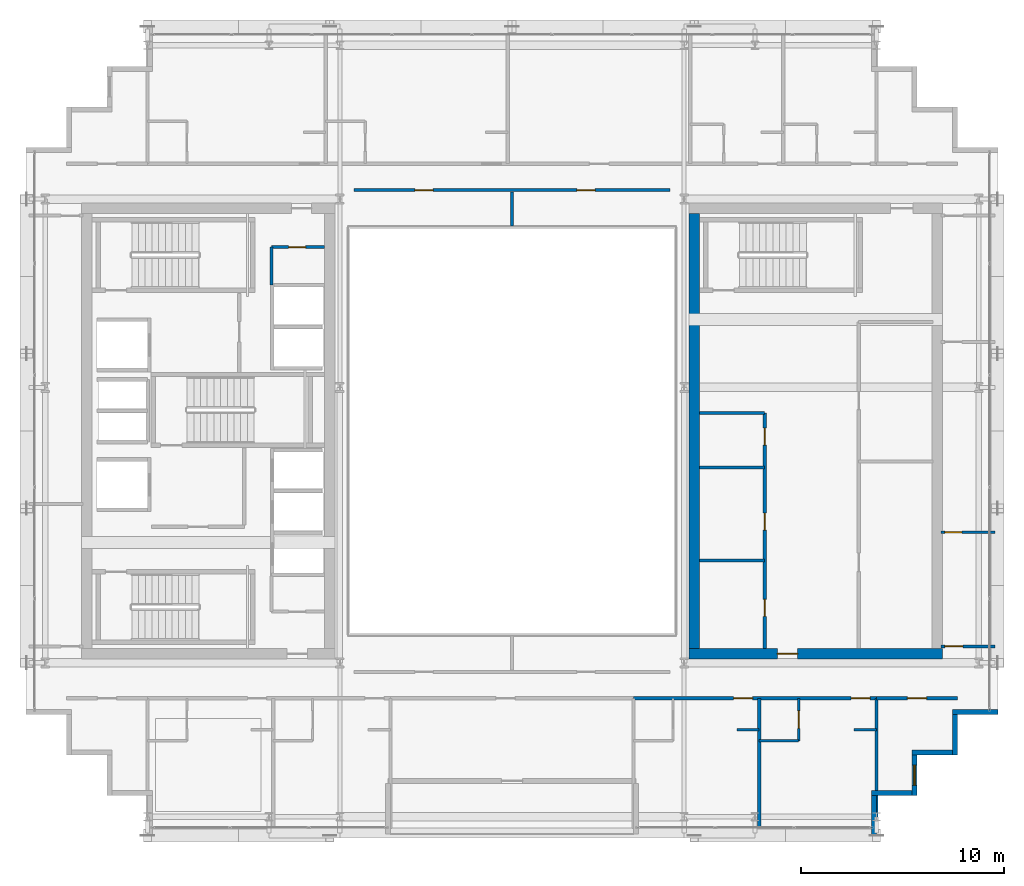
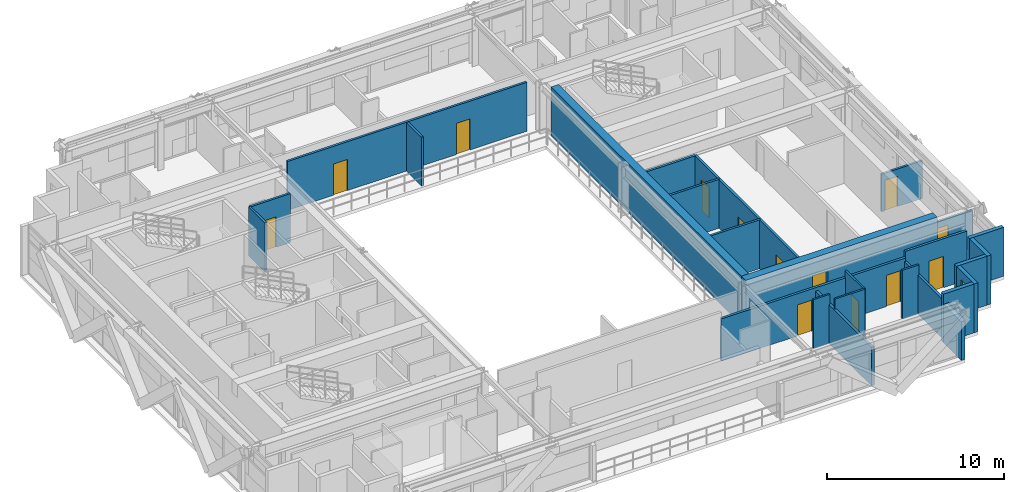
# One storey, part 26 of 32: 26 walls, 13 doors, 1 window, 14 openings.
"""IFC4 building model written with IfcOpenShell, lengths in metres."""

from ifc_helpers import new_model, si_unit, direction, frame, frame_2d, origin, place, context, subcontext, project, spatial, rectangle, extrude, source, transform, mapped, material, layer, layer_set, type_object, element, fill, save


model = new_model("IFC4")

# Units and contexts
model_context = context("Model", 3, precision=1e-05, world=origin(), true_north=direction((0.0, 1.0)))
body_context = subcontext(model_context, "Body", "Model", "MODEL_VIEW")
ifc_project = project(units=[si_unit("LENGTHUNIT", "METRE"), si_unit("AREAUNIT", "SQUARE_METRE"), si_unit("VOLUMEUNIT", "CUBIC_METRE"), si_unit("PLANEANGLEUNIT", "RADIAN"), si_unit("MASSUNIT", "GRAM", prefix="KILO")], contexts=[model_context])

# Site, building, storey
site_placement = place(None, origin())
site = spatial("IfcSite", under=ifc_project, at=site_placement, CompositionType="ELEMENT")
building_placement = place(site_placement, origin())
building = spatial("IfcBuilding", under=site, at=building_placement, Name="Ocotamira Hotel", CompositionType="ELEMENT")
storey_placement = place(building_placement, frame((0.0, 0.0, 177.60009765625)))
storey = spatial("IfcBuildingStorey", under=building, at=storey_placement, Name="L44", CompositionType="ELEMENT", Elevation=177.60009765625)

# Wall, opening, door
ifc_material_1 = material(Name="Concrete C50/60", Category="concrete")
ifc_layer_1 = layer(ifc_material_1, 0.5)
ifc_layer_set_1 = layer_set([ifc_layer_1], Name="Concrete C50/60")
wall_type_1 = type_object("IfcWallType", Name="WL-CORE-500", PredefinedType="SHEAR", material=ifc_layer_set_1)
wall_1_placement = place(storey_placement, frame((40.75, 15.0, 0.0), z_axis=(0.0, 0.0, 1.0), x_axis=(1.0, 0.0, 0.0)))
wall_1 = element("IfcWall", 1, at=wall_1_placement, inside=storey, type_object=wall_type_1, Name="L44 Shear Core Wall ECORE-S", PredefinedType="SHEAR", context=body_context, shape_type="SweptSolid", body=[
    extrude(rectangle(XDim=12.5, YDim=0.5, at=frame_2d((6.25, 0.0))), origin(), (0.0, 0.0, 1.0), 3.369873046875),
])
opening_1_placement = place(wall_1_placement, frame((4.35009765625, 0.0, 0.0)))
opening_1 = element("IfcOpeningElement", 2, at=opening_1_placement, cuts=wall_1, Name="Opening D-FR2", PredefinedType="OPENING", context=body_context, shape_type="SweptSolid", body=[
    extrude(rectangle(XDim=1.0, YDim=2.14990234375, at=frame_2d((0.5, 1.074951171875))), frame((0.0, 0.260009765625, 0.0), z_axis=(0.0, -1.0, 0.0), x_axis=(1.0, 0.0, 0.0)), (0.0, 0.0, 1.0), 0.52001953125),
])
ifc_material_2 = material(Name="Fire-rated acoustic timber-veneer door", Category="wood")
door_type_1 = type_object("IfcDoorType", Name="DR-FIRE-1000", OperationType="NOTDEFINED", PredefinedType="DOOR", material=ifc_material_2)
shared_shape_1 = source(origin(), body_context, "Body", "SweptSolid", [
    extrude(rectangle(XDim=1.0, YDim=2.14990234375, at=frame_2d((0.5, 1.074951171875))), frame((0.0, 0.02490234375, 0.0), z_axis=(0.0, -1.0, 0.0), x_axis=(1.0, 0.0, 0.0)), (0.0, 0.0, 1.0), 0.050048828125),
])
door_1_placement = place(opening_1_placement, origin())
door_1 = element("IfcDoor", 3, at=door_1_placement, inside=storey, type_object=door_type_1, Name="L44 Door ID-L44-ELOB-S-D [ID-L44-ELOB-S-D]", OperationType="SINGLE_SWING_RIGHT", OverallHeight=2.14990234375, OverallWidth=1.0, PredefinedType="DOOR", context=body_context, shape_type="MappedRepresentation", body=[
    mapped(shared_shape_1, transform((0.0, 0.0, 0.0), scale=1.0)),
])
fill(opening_1, door_1)

# Walls
wall_2_placement = place(storey_placement, frame((41.0, 15.25, 0.0), z_axis=(0.0, 0.0, 1.0), x_axis=(0.0, 1.0, 0.0)))
element("IfcWall", 4, at=wall_2_placement, inside=storey, type_object=wall_type_1, Name="L44 Shear Core Wall ECORE-W", PredefinedType="SHEAR", context=body_context, shape_type="SweptSolid", body=[
    extrude(rectangle(XDim=21.5, YDim=0.5, at=frame_2d((10.75, 0.0))), origin(), (0.0, 0.0, 1.0), 3.369873046875),
])
ifc_material_3 = material(Name="Precast concrete C45/55", Category="concrete")
ifc_layer_2 = layer(ifc_material_3, 0.25)
ifc_layer_set_2 = layer_set([ifc_layer_2], Name="Precast concrete C45/55")
wall_type_2 = type_object("IfcWallType", Name="WL-EXT-SER-250", PredefinedType="SOLIDWALL", material=ifc_layer_set_2)
wall_3_placement = place(storey_placement, frame((49.875, 6.0, 0.0), z_axis=(0.0, 0.0, 1.0), x_axis=(0.0, 1.0, 0.0)))
element("IfcWall", 5, at=wall_3_placement, inside=storey, type_object=wall_type_2, Name="L44 Serrated Corner Wall 01", PredefinedType="SOLIDWALL", context=body_context, shape_type="SweptSolid", body=[
    extrude(rectangle(XDim=2.0, YDim=0.25, at=frame_2d((1.0, 0.0))), origin(), (0.0, 0.0, 1.0), 2.677001953125),
])
wall_4_placement = place(storey_placement, frame((49.75, 8.125, 0.0), z_axis=(0.0, 0.0, 1.0), x_axis=(1.0, 0.0, 0.0)))
element("IfcWall", 6, at=wall_4_placement, inside=storey, type_object=wall_type_2, Name="L44 Serrated Corner Wall 02", PredefinedType="SOLIDWALL", context=body_context, shape_type="SweptSolid", body=[
    extrude(rectangle(XDim=2.0, YDim=0.25, at=frame_2d((1.0, 0.0))), origin(), (0.0, 0.0, 1.0), 3.369873046875),
])

# Wall, opening, window
wall_5_placement = place(storey_placement, frame((51.875, 8.0, 0.0), z_axis=(0.0, 0.0, 1.0), x_axis=(0.0, 1.0, 0.0)))
wall_5 = element("IfcWall", 7, at=wall_5_placement, inside=storey, type_object=wall_type_2, Name="L44 Serrated Corner Wall 03", PredefinedType="SOLIDWALL", context=body_context, shape_type="SweptSolid", body=[
    extrude(rectangle(XDim=2.0, YDim=0.25, at=frame_2d((1.0, 0.0))), origin(), (0.0, 0.0, 1.0), 3.369873046875),
])
opening_2_placement = place(wall_5_placement, frame((0.5, 0.0, 0.85009765625)))
opening_2 = element("IfcOpeningElement", 8, at=opening_2_placement, cuts=wall_5, Name="Opening WN-2", PredefinedType="OPENING", context=body_context, shape_type="SweptSolid", body=[
    extrude(rectangle(XDim=1.0, YDim=1.89990234375, at=frame_2d((0.5, 0.949951171875))), frame((0.0, 0.135009765625, 0.0), z_axis=(0.0, -1.0, 0.0), x_axis=(1.0, 0.0, 0.0)), (0.0, 0.0, 1.0), 0.27001953125),
])
ifc_material_4 = material(Name="Double-silver low-E solar glass", Category="glass")
window_type = type_object("IfcWindowType", Name="WIN-SER-1100", PartitioningType="SINGLE_PANEL", PredefinedType="WINDOW", material=ifc_material_4)
shared_shape_2 = source(origin(), body_context, "Body", "SweptSolid", [
    extrude(rectangle(XDim=1.0, YDim=1.89990234375, at=frame_2d((0.5, 0.949951171875))), frame((0.0, 0.030029296875, 0.0), z_axis=(0.0, -1.0, 0.0), x_axis=(1.0, 0.0, 0.0)), (0.0, 0.0, 1.0), 0.06005859375),
])
window_placement = place(opening_2_placement, origin())
window = element("IfcWindow", 9, at=window_placement, inside=storey, type_object=window_type, Name="L44 Serrated Corner Window 03", OverallHeight=1.89990234375, OverallWidth=1.0, PartitioningType="SINGLE_PANEL", PredefinedType="WINDOW", context=body_context, shape_type="MappedRepresentation", body=[
    mapped(shared_shape_2, transform((0.0, 0.0, 0.0), scale=1.0)),
])
fill(opening_2, window)

# Walls
for number, where, z_axis, x_axis, name in (
    (10, (51.75, 10.125, 0.0), (0.0, 0.0, 1.0), (1.0, 0.0, 0.0), "L44 Serrated Corner Wall 04"),
    (11, (53.875, 10.0, 0.0), (0.0, 0.0, 1.0), (0.0, 1.0, 0.0), "L44 Serrated Corner Wall 05"),
):
    element("IfcWall", number, at=place(storey_placement, frame(where, z_axis=z_axis, x_axis=x_axis)), inside=storey, type_object=wall_type_2, Name=name, PredefinedType="SOLIDWALL", context=body_context, shape_type="SweptSolid", body=[
        extrude(rectangle(XDim=2.0, YDim=0.25, at=frame_2d((1.0, 0.0))), origin(), (0.0, 0.0, 1.0), 3.369873046875),
    ])
wall_6_placement = place(storey_placement, frame((53.75, 12.125, 0.0), z_axis=(0.0, 0.0, 1.0), x_axis=(1.0, 0.0, 0.0)))
element("IfcWall", 12, at=wall_6_placement, inside=storey, type_object=wall_type_2, Name="L44 Serrated Corner Wall 06", PredefinedType="SOLIDWALL", context=body_context, shape_type="SweptSolid", body=[
    extrude(rectangle(XDim=2.25, YDim=0.25, at=frame_2d((1.125, 0.0))), origin(), (0.0, 0.0, 1.0), 3.369873046875),
])

# Wall, opening, door
ifc_material_5 = material(Name="Acoustic double-layer fire gypsum board partition", Category="gypsum")
ifc_layer_3 = layer(ifc_material_5, 0.159912109375)
ifc_layer_set_3 = layer_set([ifc_layer_3], Name="Acoustic double-layer fire gypsum board partition")
wall_type_3 = type_object("IfcWallType", Name="WL-FIRE-160", PredefinedType="PARTITIONING", material=ifc_layer_set_3)
wall_7_placement = place(storey_placement, frame((50.0, 12.800048828125, 0.0), z_axis=(0.0, 0.0, 1.0), x_axis=(1.0, 0.0, 0.0)))
wall_7 = element("IfcWall", 13, at=wall_7_placement, inside=storey, type_object=wall_type_3, Name="L44 Interior Wall PW-L44-Z3B-CSE-CW", PredefinedType="PARTITIONING", context=body_context, shape_type="SweptSolid", body=[
    extrude(rectangle(XDim=4.0, YDim=0.159912109375, at=frame_2d((2.0, 0.0))), origin(), (0.0, 0.0, 1.0), 3.369873046875),
])
opening_3_placement = place(wall_7_placement, frame((1.52001953125, 0.0, 0.0)))
opening_3 = element("IfcOpeningElement", 14, at=opening_3_placement, cuts=wall_7, Name="Opening D-SV4", PredefinedType="OPENING", context=body_context, shape_type="SweptSolid", body=[
    extrude(rectangle(XDim=0.9599609375, YDim=2.14990234375, at=frame_2d((0.47998046875, 1.074951171875))), frame((0.0, 0.08984375, 0.0), z_axis=(0.0, -1.0, 0.0), x_axis=(1.0, 0.0, 0.0)), (0.0, 0.0, 1.0), 0.179931640625),
])
ifc_material_6 = material(Name="Fire-rated accessible walnut salon door", Category="wood")
door_type_2 = type_object("IfcDoorType", Name="DR-SERV-960", OperationType="NOTDEFINED", PredefinedType="DOOR", material=ifc_material_6)
shared_shape_3 = source(origin(), body_context, "Body", "SweptSolid", [
    extrude(rectangle(XDim=0.9599609375, YDim=2.14990234375, at=frame_2d((0.47998046875, 1.074951171875))), frame((0.0, 0.02490234375, 0.0), z_axis=(0.0, -1.0, 0.0), x_axis=(1.0, 0.0, 0.0)), (0.0, 0.0, 1.0), 0.050048828125),
])
door_2_placement = place(opening_3_placement, origin())
door_2 = element("IfcDoor", 15, at=door_2_placement, inside=storey, type_object=door_type_2, Name="L44 Door ID-L44-Z3B-CSE-CD [ID-L44-Z3B-CSE-CD]", OperationType="SINGLE_SWING_LEFT", OverallHeight=2.14990234375, OverallWidth=0.9599609375, PredefinedType="DOOR", context=body_context, shape_type="MappedRepresentation", body=[
    mapped(shared_shape_3, transform((0.0, 0.0, 0.0), scale=1.0)),
])
fill(opening_3, door_2)

# Wall, openings, doors
wall_8_placement = place(storey_placement, frame((38.0, 12.800048828125, 0.0), z_axis=(0.0, 0.0, 1.0), x_axis=(1.0, 0.0, 0.0)))
wall_8 = element("IfcWall", 16, at=wall_8_placement, inside=storey, type_object=wall_type_3, Name="L44 Interior Wall PW-L44-Z3BSE-CORRW", PredefinedType="PARTITIONING", context=body_context, shape_type="SweptSolid", body=[
    extrude(rectangle(XDim=12.0, YDim=0.159912109375, at=frame_2d((6.0, 0.0))), origin(), (0.0, 0.0, 1.0), 2.912841796875),
])
opening_4_placement = place(wall_8_placement, frame((4.93994140625, 0.0, 0.0)))
opening_4 = element("IfcOpeningElement", 17, at=opening_4_placement, cuts=wall_8, Name="Opening D-GR1", PredefinedType="OPENING", context=body_context, shape_type="SweptSolid", body=[
    extrude(rectangle(XDim=0.93994140625, YDim=2.14990234375, at=frame_2d((0.469970703125, 1.074951171875))), frame((0.0, 0.08984375, 0.0), z_axis=(0.0, -1.0, 0.0), x_axis=(1.0, 0.0, 0.0)), (0.0, 0.0, 1.0), 0.179931640625),
])
opening_5_placement = place(wall_8_placement, frame((10.739990234375, 0.0, 0.0)))
opening_5 = element("IfcOpeningElement", 18, at=opening_5_placement, cuts=wall_8, Name="Opening D-GR1", PredefinedType="OPENING", context=body_context, shape_type="SweptSolid", body=[
    extrude(rectangle(XDim=0.93994140625, YDim=2.14990234375, at=frame_2d((0.469970703125, 1.074951171875))), frame((0.0, 0.08984375, 0.0), z_axis=(0.0, -1.0, 0.0), x_axis=(1.0, 0.0, 0.0)), (0.0, 0.0, 1.0), 0.179931640625),
])
ifc_material_7 = material(Name="Solid-core walnut suite entrance fire door", Category="wood")
door_type_3 = type_object("IfcDoorType", Name="DR-GUEST-940", OperationType="NOTDEFINED", PredefinedType="DOOR", material=ifc_material_7)
shared_shape_4 = source(origin(), body_context, "Body", "SweptSolid", [
    extrude(rectangle(XDim=0.93994140625, YDim=2.14990234375, at=frame_2d((0.469970703125, 1.074951171875))), frame((0.0, 0.02490234375, 0.0), z_axis=(0.0, -1.0, 0.0), x_axis=(1.0, 0.0, 0.0)), (0.0, 0.0, 1.0), 0.050048828125),
])
door_3_placement = place(opening_4_placement, origin())
door_3 = element("IfcDoor", 19, at=door_3_placement, inside=storey, type_object=door_type_3, Name="L44 Door ID-L44-Z3BSE-RMD1 [ID-L44-Z3BSE-RMD1]", OperationType="SINGLE_SWING_LEFT", OverallHeight=2.14990234375, OverallWidth=0.93994140625, PredefinedType="DOOR", context=body_context, shape_type="MappedRepresentation", body=[
    mapped(shared_shape_4, transform((0.0, 0.0, 0.0), scale=1.0)),
])
fill(opening_4, door_3)
door_4_placement = place(opening_5_placement, origin())
door_4 = element("IfcDoor", 20, at=door_4_placement, inside=storey, type_object=door_type_3, Name="L44 Door ID-L44-Z3BSE-RMD2 [ID-L44-Z3BSE-RMD2]", OperationType="SINGLE_SWING_RIGHT", OverallHeight=2.14990234375, OverallWidth=0.93994140625, PredefinedType="DOOR", context=body_context, shape_type="MappedRepresentation", body=[
    mapped(shared_shape_4, transform((0.0, 0.0, 0.0), scale=1.0)),
])
fill(opening_5, door_4)

# Wall
ifc_material_8 = material(Name="Moisture-resistant en-suite tile and gypsum partition", Category="gypsum")
ifc_layer_4 = layer(ifc_material_8, 0.1201171875)
ifc_layer_set_4 = layer_set([ifc_layer_4], Name="Moisture-resistant en-suite tile and gypsum partition")
wall_type_4 = type_object("IfcWallType", Name="WL-PART-120", PredefinedType="PARTITIONING", material=ifc_layer_set_4)
wall_9_placement = place(storey_placement, frame((43.10009765625, 11.25, 0.0), z_axis=(0.0, 0.0, 1.0), x_axis=(1.0, 0.0, 0.0)))
element("IfcWall", 21, at=wall_9_placement, inside=storey, type_object=wall_type_4, Name="L44 Interior Wall PW-L44-Z3BSE-DRN1", PredefinedType="PARTITIONING", context=body_context, shape_type="SweptSolid", body=[
    extrude(rectangle(XDim=1.099853515625, YDim=0.1201171875, at=frame_2d((0.5498046875, 0.0))), origin(), (0.0, 0.0, 1.0), 3.369873046875),
])

# Wall, opening, door
wall_10_placement = place(storey_placement, frame((46.14990234375, 10.699951171875, 0.0), z_axis=(0.0, 0.0, 1.0), x_axis=(0.0, 1.0, 0.0)))
wall_10 = element("IfcWall", 22, at=wall_10_placement, inside=storey, type_object=wall_type_4, Name="L44 Interior Wall PW-L44-Z3BSE-BAE2", PredefinedType="PARTITIONING", context=body_context, shape_type="SweptSolid", body=[
    extrude(rectangle(XDim=2.10009765625, YDim=0.1201171875, at=frame_2d((1.050048828125, 0.0))), origin(), (0.0, 0.0, 1.0), 3.369873046875),
])
opening_6_placement = place(wall_10_placement, frame((0.6201171875, 0.0, 0.0)))
opening_6 = element("IfcOpeningElement", 23, at=opening_6_placement, cuts=wall_10, Name="Opening D-BA1", PredefinedType="OPENING", context=body_context, shape_type="SweptSolid", body=[
    extrude(rectangle(XDim=0.860107421875, YDim=2.10009765625, at=frame_2d((0.43017578125, 1.050048828125))), frame((0.0, 0.070068359375, 0.0), z_axis=(0.0, -1.0, 0.0), x_axis=(1.0, 0.0, 0.0)), (0.0, 0.0, 1.0), 0.14013671875),
])
ifc_material_9 = material(Name="Moisture-sealed en-suite timber door", Category="wood")
door_type_4 = type_object("IfcDoorType", Name="DR-BATH-860", OperationType="NOTDEFINED", PredefinedType="DOOR", material=ifc_material_9)
shared_shape_5 = source(origin(), body_context, "Body", "SweptSolid", [
    extrude(rectangle(XDim=0.860107421875, YDim=2.10009765625, at=frame_2d((0.43017578125, 1.050048828125))), frame((0.0, 0.02490234375, 0.0), z_axis=(0.0, -1.0, 0.0), x_axis=(1.0, 0.0, 0.0)), (0.0, 0.0, 1.0), 0.050048828125),
])
door_5_placement = place(opening_6_placement, origin())
door_5 = element("IfcDoor", 24, at=door_5_placement, inside=storey, type_object=door_type_4, Name="L44 Door ID-L44-Z3BSE-BAD2 [ID-L44-Z3BSE-BAD2]", OperationType="SINGLE_SWING_LEFT", OverallHeight=2.10009765625, OverallWidth=0.860107421875, PredefinedType="DOOR", context=body_context, shape_type="MappedRepresentation", body=[
    mapped(shared_shape_5, transform((0.0, 0.0, 0.0), scale=1.0)),
])
fill(opening_6, door_5)

# Walls
wall_11_placement = place(storey_placement, frame((44.199951171875, 10.699951171875, 0.0), z_axis=(0.0, 0.0, 1.0), x_axis=(1.0, 0.0, 0.0)))
element("IfcWall", 25, at=wall_11_placement, inside=storey, type_object=wall_type_4, Name="L44 Interior Wall PW-L44-Z3BSE-BAS2", PredefinedType="PARTITIONING", context=body_context, shape_type="SweptSolid", body=[
    extrude(rectangle(XDim=1.949951171875, YDim=0.1201171875, at=frame_2d((0.97509765625, 0.0))), origin(), (0.0, 0.0, 1.0), 3.369873046875),
])
wall_12_placement = place(storey_placement, frame((48.89990234375, 11.25, 0.0), z_axis=(0.0, 0.0, 1.0), x_axis=(1.0, 0.0, 0.0)))
element("IfcWall", 26, at=wall_12_placement, inside=storey, type_object=wall_type_4, Name="L44 Interior Wall PW-L44-Z3BSE-DRN2", PredefinedType="PARTITIONING", context=body_context, shape_type="SweptSolid", body=[
    extrude(rectangle(XDim=1.10009765625, YDim=0.1201171875, at=frame_2d((0.550048828125, 0.0))), origin(), (0.0, 0.0, 1.0), 3.369873046875),
])
ifc_material_10 = material(Name="Acoustic hospitality gypsum board partition", Category="gypsum")
ifc_layer_5 = layer(ifc_material_10, 0.14208984375)
ifc_layer_set_5 = layer_set([ifc_layer_5], Name="Acoustic hospitality gypsum board partition")
wall_type_5 = type_object("IfcWallType", Name="WL-PART-142", PredefinedType="PARTITIONING", material=ifc_layer_set_5)
wall_13_placement = place(storey_placement, frame((20.1201171875, 33.219970703125, 0.0), z_axis=(0.0, 0.0, 1.0), x_axis=(0.0, 1.0, 0.0)))
element("IfcWall", 27, at=wall_13_placement, inside=storey, type_object=wall_type_5, Name="L44 Interior Wall PW-L44-WC-NE-W2", PredefinedType="PARTITIONING", context=body_context, shape_type="SweptSolid", body=[
    extrude(rectangle(XDim=1.860107421875, YDim=0.14208984375, at=frame_2d((0.93017578125, 0.0))), origin(), (0.0, 0.0, 1.0), 3.369873046875),
])

# Wall, opening, door
wall_14_placement = place(storey_placement, frame((20.1201171875, 35.080078125, 0.0), z_axis=(0.0, 0.0, 1.0), x_axis=(1.0, 0.0, 0.0)))
wall_14 = element("IfcWall", 28, at=wall_14_placement, inside=storey, type_object=wall_type_5, Name="L44 Interior Wall PW-L44-WC-NE-N2", PredefinedType="PARTITIONING", context=body_context, shape_type="SweptSolid", body=[
    extrude(rectangle(XDim=2.6298828125, YDim=0.14208984375, at=frame_2d((1.31494140625, 0.0))), origin(), (0.0, 0.0, 1.0), 3.369873046875),
])
opening_7_placement = place(wall_14_placement, frame((0.85009765625, 0.0, 0.0)))
opening_7 = element("IfcOpeningElement", 29, at=opening_7_placement, cuts=wall_14, Name="Opening D-SV1", PredefinedType="OPENING", context=body_context, shape_type="SweptSolid", body=[
    extrude(rectangle(XDim=0.840087890625, YDim=2.10009765625, at=frame_2d((0.419921875, 1.050048828125))), frame((0.0, 0.0810546875, 0.0), z_axis=(0.0, -1.0, 0.0), x_axis=(1.0, 0.0, 0.0)), (0.0, 0.0, 1.0), 0.162109375),
])
ifc_material_11 = material(Name="Fire-rated painted steel service door", Category="steel")
door_type_5 = type_object("IfcDoorType", Name="DR-SERV-840", OperationType="NOTDEFINED", PredefinedType="DOOR", material=ifc_material_11)
shared_shape_6 = source(origin(), body_context, "Body", "SweptSolid", [
    extrude(rectangle(XDim=0.840087890625, YDim=2.10009765625, at=frame_2d((0.419921875, 1.050048828125))), frame((0.0, 0.02490234375, 0.0), z_axis=(0.0, -1.0, 0.0), x_axis=(1.0, 0.0, 0.0)), (0.0, 0.0, 1.0), 0.050048828125),
])
door_6_placement = place(opening_7_placement, origin())
door_6 = element("IfcDoor", 30, at=door_6_placement, inside=storey, type_object=door_type_5, Name="L44 Door ID-L44-WC-NE-D2 [ID-L44-WC-NE-D2]", OperationType="SINGLE_SWING_RIGHT", OverallHeight=2.10009765625, OverallWidth=0.840087890625, PredefinedType="DOOR", context=body_context, shape_type="MappedRepresentation", body=[
    mapped(shared_shape_6, transform((0.0, 0.0, 0.0), scale=1.0)),
])
fill(opening_7, door_6)

# Walls
for number, where, z_axis, x_axis, name in (
    (31, (41.25, 19.60009765625, 0.0), (0.0, 0.0, 1.0), (1.0, 0.0, 0.0), "L44 Interior Wall PW-L44-EC-FMD1"),
    (32, (41.25, 24.199951171875, 0.0), (0.0, 0.0, 1.0), (1.0, 0.0, 0.0), "L44 Interior Wall PW-L44-EC-FMD2"),
):
    element("IfcWall", number, at=place(storey_placement, frame(where, z_axis=z_axis, x_axis=x_axis)), inside=storey, type_object=wall_type_5, Name=name, PredefinedType="PARTITIONING", context=body_context, shape_type="SweptSolid", body=[
        extrude(rectangle(XDim=3.22998046875, YDim=0.14208984375, at=frame_2d((1.614990234375, 0.0))), origin(), (0.0, 0.0, 1.0), 3.369873046875),
    ])
wall_15_placement = place(storey_placement, frame((32.0, 36.1201171875, 0.0), z_axis=(0.0, 0.0, 1.0), x_axis=(0.0, 1.0, 0.0)))
element("IfcWall", 33, at=wall_15_placement, inside=storey, type_object=wall_type_5, Name="L44 Interior Wall PW-L44-Z3B-AND1", PredefinedType="PARTITIONING", context=body_context, shape_type="SweptSolid", body=[
    extrude(rectangle(XDim=1.679931640625, YDim=0.14208984375, at=frame_2d((0.83984375, 0.0))), origin(), (0.0, 0.0, 1.0), 3.369873046875),
])

# Wall, opening, door
wall_16_placement = place(storey_placement, frame((53.179931640625, 21.0, 0.0), z_axis=(0.0, 0.0, 1.0), x_axis=(1.0, 0.0, 0.0)))
wall_16 = element("IfcWall", 34, at=wall_16_placement, inside=storey, type_object=wall_type_5, Name="L44 Interior Wall PW-L44-Z3B-EF-DV1", PredefinedType="PARTITIONING", context=body_context, shape_type="SweptSolid", body=[
    extrude(rectangle(XDim=2.66015625, YDim=0.14208984375, at=frame_2d((1.330078125, 0.0))), origin(), (0.0, 0.0, 1.0), 2.5908203125),
])
opening_8_placement = place(wall_16_placement, frame((0.199951171875, 0.0, 0.0)))
opening_8 = element("IfcOpeningElement", 35, at=opening_8_placement, cuts=wall_16, Name="Opening D-SV1", PredefinedType="OPENING", context=body_context, shape_type="SweptSolid", body=[
    extrude(rectangle(XDim=0.840087890625, YDim=2.10009765625, at=frame_2d((0.419921875, 1.050048828125))), frame((0.0, 0.0810546875, 0.0), z_axis=(0.0, -1.0, 0.0), x_axis=(1.0, 0.0, 0.0)), (0.0, 0.0, 1.0), 0.162109375),
])
door_7_placement = place(opening_8_placement, origin())
door_7 = element("IfcDoor", 36, at=door_7_placement, inside=storey, type_object=door_type_5, Name="L44 Door ID-L44-Z3B-EF-DV1D [ID-L44-Z3B-EF-DV1D]", OperationType="SINGLE_SWING_LEFT", OverallHeight=2.10009765625, OverallWidth=0.840087890625, PredefinedType="DOOR", context=body_context, shape_type="MappedRepresentation", body=[
    mapped(shared_shape_6, transform((0.0, 0.0, 0.0), scale=1.0)),
])
fill(opening_8, door_7)

# Wall
ifc_layer_6 = layer(ifc_material_10, 0.14990234375)
ifc_layer_set_6 = layer_set([ifc_layer_6], Name="Acoustic hospitality gypsum board partition")
wall_type_6 = type_object("IfcWallType", Name="WL-PART-150", PredefinedType="PARTITIONING", material=ifc_layer_set_6)
wall_17_placement = place(storey_placement, frame((41.25, 26.8798828125, 0.0), z_axis=(0.0, 0.0, 1.0), x_axis=(1.0, 0.0, 0.0)))
element("IfcWall", 37, at=wall_17_placement, inside=storey, type_object=wall_type_6, Name="L44 Interior Wall PW-L44-EC-FMID-N", PredefinedType="PARTITIONING", context=body_context, shape_type="SweptSolid", body=[
    extrude(rectangle(XDim=3.22998046875, YDim=0.14990234375, at=frame_2d((1.614990234375, 0.0))), origin(), (0.0, 0.0, 1.0), 3.369873046875),
])

# Wall, openings, doors
wall_18_placement = place(storey_placement, frame((44.47998046875, 15.25, 0.0), z_axis=(0.0, 0.0, 1.0), x_axis=(0.0, 1.0, 0.0)))
wall_18 = element("IfcWall", 38, at=wall_18_placement, inside=storey, type_object=wall_type_6, Name="L44 Interior Wall PW-L44-EC-FMID-E", PredefinedType="PARTITIONING", context=body_context, shape_type="SweptSolid", body=[
    extrude(rectangle(XDim=11.6298828125, YDim=0.14990234375, at=frame_2d((5.81494140625, 0.0))), origin(), (0.0, 0.0, 1.0), 3.369873046875),
])
opening_9_placement = place(wall_18_placement, frame((1.60009765625, 0.0, 0.0)))
opening_9 = element("IfcOpeningElement", 39, at=opening_9_placement, cuts=wall_18, Name="Opening D-SV1", PredefinedType="OPENING", context=body_context, shape_type="SweptSolid", body=[
    extrude(rectangle(XDim=0.840087890625, YDim=2.10009765625, at=frame_2d((0.419921875, 1.050048828125))), frame((0.0, 0.0849609375, 0.0), z_axis=(0.0, -1.0, 0.0), x_axis=(1.0, 0.0, 0.0)), (0.0, 0.0, 1.0), 0.169921875),
])
opening_10_placement = place(wall_18_placement, frame((5.85009765625, 0.0, 0.0)))
opening_10 = element("IfcOpeningElement", 40, at=opening_10_placement, cuts=wall_18, Name="Opening D-SV1", PredefinedType="OPENING", context=body_context, shape_type="SweptSolid", body=[
    extrude(rectangle(XDim=0.840087890625, YDim=2.10009765625, at=frame_2d((0.419921875, 1.050048828125))), frame((0.0, 0.0849609375, 0.0), z_axis=(0.0, -1.0, 0.0), x_axis=(1.0, 0.0, 0.0)), (0.0, 0.0, 1.0), 0.169921875),
])
opening_11_placement = place(wall_18_placement, frame((10.050048828125, 0.0, 0.0)))
opening_11 = element("IfcOpeningElement", 41, at=opening_11_placement, cuts=wall_18, Name="Opening D-SV1", PredefinedType="OPENING", context=body_context, shape_type="SweptSolid", body=[
    extrude(rectangle(XDim=0.840087890625, YDim=2.10009765625, at=frame_2d((0.419921875, 1.050048828125))), frame((0.0, 0.0849609375, 0.0), z_axis=(0.0, -1.0, 0.0), x_axis=(1.0, 0.0, 0.0)), (0.0, 0.0, 1.0), 0.169921875),
])
door_8_placement = place(opening_9_placement, origin())
door_8 = element("IfcDoor", 42, at=door_8_placement, inside=storey, type_object=door_type_5, Name="L44 Door ID-L44-EC-FMD-1 [ID-L44-EC-FMD-1]", OperationType="SINGLE_SWING_LEFT", OverallHeight=2.10009765625, OverallWidth=0.840087890625, PredefinedType="DOOR", context=body_context, shape_type="MappedRepresentation", body=[
    mapped(shared_shape_6, transform((0.0, 0.0, 0.0), scale=1.0)),
])
fill(opening_9, door_8)
door_9_placement = place(opening_10_placement, origin())
door_9 = element("IfcDoor", 43, at=door_9_placement, inside=storey, type_object=door_type_5, Name="L44 Door ID-L44-EC-FMD-2 [ID-L44-EC-FMD-2]", OperationType="SINGLE_SWING_RIGHT", OverallHeight=2.10009765625, OverallWidth=0.840087890625, PredefinedType="DOOR", context=body_context, shape_type="MappedRepresentation", body=[
    mapped(shared_shape_6, transform((0.0, 0.0, 0.0), scale=1.0)),
])
fill(opening_10, door_9)
door_10_placement = place(opening_11_placement, origin())
door_10 = element("IfcDoor", 44, at=door_10_placement, inside=storey, type_object=door_type_5, Name="L44 Door ID-L44-EC-FMD-3 [ID-L44-EC-FMD-3]", OperationType="SINGLE_SWING_LEFT", OverallHeight=2.10009765625, OverallWidth=0.840087890625, PredefinedType="DOOR", context=body_context, shape_type="MappedRepresentation", body=[
    mapped(shared_shape_6, transform((0.0, 0.0, 0.0), scale=1.0)),
])
fill(opening_11, door_10)

wall_19_placement = place(storey_placement, frame((24.199951171875, 37.89990234375, 0.0), z_axis=(0.0, 0.0, 1.0), x_axis=(1.0, 0.0, 0.0)))
wall_19 = element("IfcWall", 45, at=wall_19_placement, inside=storey, type_object=wall_type_6, Name="L44 Interior Wall PW-L44-Z3B-ATRNW", PredefinedType="PARTITIONING", context=body_context, shape_type="SweptSolid", body=[
    extrude(rectangle(XDim=15.60009765625, YDim=0.14990234375, at=frame_2d((7.800048828125, 0.0))), origin(), (0.0, 0.0, 1.0), 3.369873046875),
])
opening_12_placement = place(wall_19_placement, frame((3.0, 0.0, 0.0)))
opening_12 = element("IfcOpeningElement", 46, at=opening_12_placement, cuts=wall_19, Name="Opening D-IN3", PredefinedType="OPENING", context=body_context, shape_type="SweptSolid", body=[
    extrude(rectangle(XDim=0.89990234375, YDim=2.14990234375, at=frame_2d((0.449951171875, 1.074951171875))), frame((0.0, 0.0849609375, 0.0), z_axis=(0.0, -1.0, 0.0), x_axis=(1.0, 0.0, 0.0)), (0.0, 0.0, 1.0), 0.169921875),
])
opening_13_placement = place(wall_19_placement, frame((11.0, 0.0, 0.0)))
opening_13 = element("IfcOpeningElement", 47, at=opening_13_placement, cuts=wall_19, Name="Opening D-IN3", PredefinedType="OPENING", context=body_context, shape_type="SweptSolid", body=[
    extrude(rectangle(XDim=0.89990234375, YDim=2.14990234375, at=frame_2d((0.449951171875, 1.074951171875))), frame((0.0, 0.0849609375, 0.0), z_axis=(0.0, -1.0, 0.0), x_axis=(1.0, 0.0, 0.0)), (0.0, 0.0, 1.0), 0.169921875),
])
ifc_material_12 = material(Name="Painted service room door", Category="steel")
door_type_6 = type_object("IfcDoorType", Name="DR-INT-900", OperationType="NOTDEFINED", PredefinedType="DOOR", material=ifc_material_12)
shared_shape_7 = source(origin(), body_context, "Body", "SweptSolid", [
    extrude(rectangle(XDim=0.89990234375, YDim=2.14990234375, at=frame_2d((0.449951171875, 1.074951171875))), frame((0.0, 0.02490234375, 0.0), z_axis=(0.0, -1.0, 0.0), x_axis=(1.0, 0.0, 0.0)), (0.0, 0.0, 1.0), 0.050048828125),
])
door_11_placement = place(opening_12_placement, origin())
door_11 = element("IfcDoor", 48, at=door_11_placement, inside=storey, type_object=door_type_6, Name="L44 Door ID-L44-Z3B-AND1D [ID-L44-Z3B-AND1D]", OperationType="SINGLE_SWING_RIGHT", OverallHeight=2.14990234375, OverallWidth=0.89990234375, PredefinedType="DOOR", context=body_context, shape_type="MappedRepresentation", body=[
    mapped(shared_shape_7, transform((0.0, 0.0, 0.0), scale=1.0)),
])
fill(opening_12, door_11)
door_12_placement = place(opening_13_placement, origin())
door_12 = element("IfcDoor", 49, at=door_12_placement, inside=storey, type_object=door_type_6, Name="L44 Door ID-L44-Z3B-AND2D [ID-L44-Z3B-AND2D]", OperationType="SINGLE_SWING_LEFT", OverallHeight=2.14990234375, OverallWidth=0.89990234375, PredefinedType="DOOR", context=body_context, shape_type="MappedRepresentation", body=[
    mapped(shared_shape_7, transform((0.0, 0.0, 0.0), scale=1.0)),
])
fill(opening_13, door_12)

# Wall, opening, door
wall_20_placement = place(storey_placement, frame((53.179931640625, 15.360107421875, 0.0), z_axis=(0.0, 0.0, 1.0), x_axis=(1.0, 0.0, 0.0)))
wall_20 = element("IfcWall", 50, at=wall_20_placement, inside=storey, type_object=wall_type_6, Name="L44 Interior Wall PW-L44-Z3B-EF-WS", PredefinedType="PARTITIONING", context=body_context, shape_type="SweptSolid", body=[
    extrude(rectangle(XDim=2.66015625, YDim=0.14990234375, at=frame_2d((1.330078125, 0.0))), origin(), (0.0, 0.0, 1.0), 2.5908203125),
])
opening_14_placement = place(wall_20_placement, frame((0.199951171875, 0.0, 0.0)))
opening_14 = element("IfcOpeningElement", 51, at=opening_14_placement, cuts=wall_20, Name="Opening D-SV2", PredefinedType="OPENING", context=body_context, shape_type="SweptSolid", body=[
    extrude(rectangle(XDim=0.8798828125, YDim=2.14990234375, at=frame_2d((0.43994140625, 1.074951171875))), frame((0.0, 0.0849609375, 0.0), z_axis=(0.0, -1.0, 0.0), x_axis=(1.0, 0.0, 0.0)), (0.0, 0.0, 1.0), 0.169921875),
])
door_type_7 = type_object("IfcDoorType", Name="DR-SERV-880", OperationType="NOTDEFINED", PredefinedType="DOOR", material=ifc_material_11)
shared_shape_8 = source(origin(), body_context, "Body", "SweptSolid", [
    extrude(rectangle(XDim=0.8798828125, YDim=2.14990234375, at=frame_2d((0.43994140625, 1.074951171875))), frame((0.0, 0.02490234375, 0.0), z_axis=(0.0, -1.0, 0.0), x_axis=(1.0, 0.0, 0.0)), (0.0, 0.0, 1.0), 0.050048828125),
])
door_13_placement = place(opening_14_placement, origin())
door_13 = element("IfcDoor", 52, at=door_13_placement, inside=storey, type_object=door_type_7, Name="L44 Door ID-L44-Z3B-EF-DS [ID-L44-Z3B-EF-DS]", OperationType="SINGLE_SWING_RIGHT", OverallHeight=2.14990234375, OverallWidth=0.8798828125, PredefinedType="DOOR", context=body_context, shape_type="MappedRepresentation", body=[
    mapped(shared_shape_8, transform((0.0, 0.0, 0.0), scale=1.0)),
])
fill(opening_14, door_13)

# Walls
ifc_material_13 = material(Name="Acoustic double-stud hospitality gypsum partition", Category="gypsum")
ifc_layer_7 = layer(ifc_material_13, 0.159912109375)
ifc_layer_set_7 = layer_set([ifc_layer_7], Name="Acoustic double-stud hospitality gypsum partition")
wall_type_7 = type_object("IfcWallType", Name="WL-PART-160", PredefinedType="PARTITIONING", material=ifc_layer_set_7)
wall_21_placement = place(storey_placement, frame((50.0, 6.360107421875, 0.0), z_axis=(0.0, 0.0, 1.0), x_axis=(0.0, 1.0, 0.0)))
element("IfcWall", 53, at=wall_21_placement, inside=storey, type_object=wall_type_7, Name="L44 Interior Wall PW-L44-Z3BSE-PWEND", PredefinedType="PARTITIONING", context=body_context, shape_type="SweptSolid", body=[
    extrude(rectangle(XDim=6.43994140625, YDim=0.159912109375, at=frame_2d((3.219970703125, 0.0))), origin(), (0.0, 0.0, 1.0), 2.677001953125),
])
ifc_material_14 = material(Name="Double-stud suite party gypsum partition", Category="gypsum")
ifc_layer_8 = layer(ifc_material_14, 0.175048828125)
ifc_layer_set_8 = layer_set([ifc_layer_8], Name="Double-stud suite party gypsum partition")
wall_type_8 = type_object("IfcWallType", Name="WL-PART-175", PredefinedType="PARTITIONING", material=ifc_layer_set_8)
wall_22_placement = place(storey_placement, frame((44.199951171875, 6.360107421875, 0.0), z_axis=(0.0, 0.0, 1.0), x_axis=(0.0, 1.0, 0.0)))
element("IfcWall", 54, at=wall_22_placement, inside=storey, type_object=wall_type_8, Name="L44 Interior Wall PW-L44-Z3BSE-PW1", PredefinedType="PARTITIONING", context=body_context, shape_type="SweptSolid", body=[
    extrude(rectangle(XDim=6.43994140625, YDim=0.175048828125, at=frame_2d((3.219970703125, 0.0))), origin(), (0.0, 0.0, 1.0), 2.677001953125),
])

save(model, "model.ifc")
